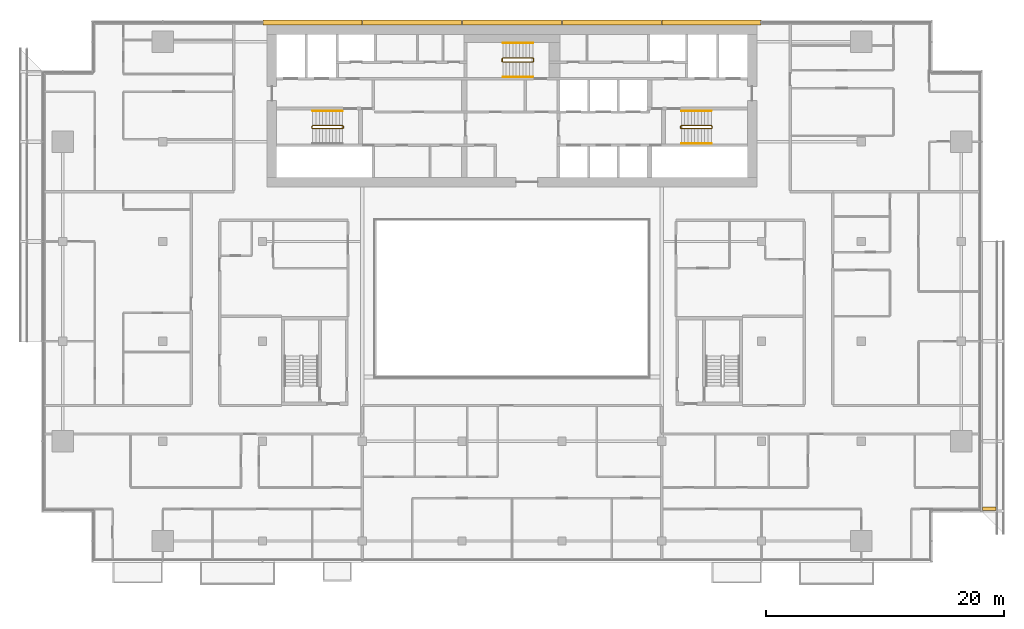
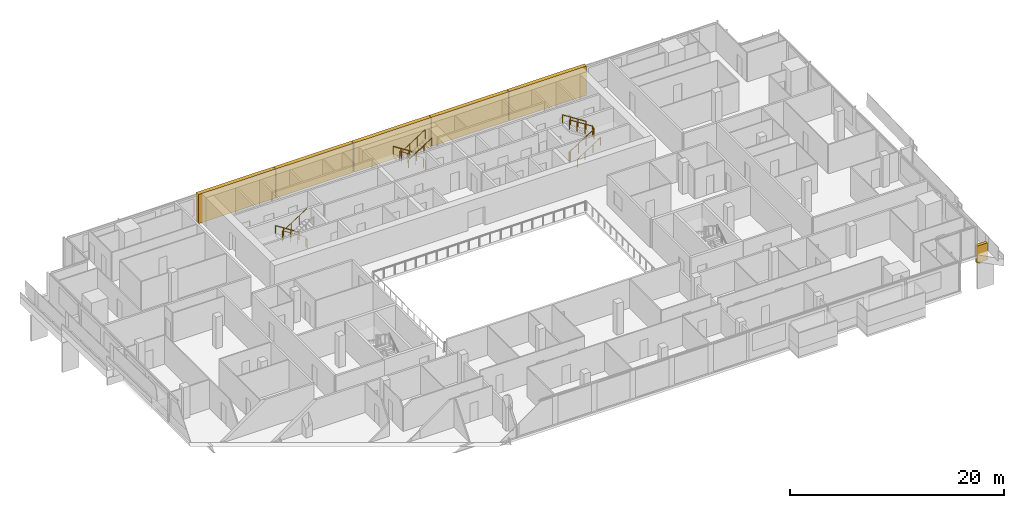
# One storey, part 28 of 29: 8 railings, 6 coverings.
"""IFC4 building model written with IfcOpenShell, lengths in metres."""

from ifc_helpers import new_model, si_unit, direction, frame, origin, origin_2d, place, context, subcontext, project, spatial, polyline, rectangle, circle, outline, extrude, material, layer, layer_set, type_object, element, save


model = new_model("IFC4")

# Units and contexts
model_context = context("Model", 3, precision=1e-05, world=origin(), true_north=direction((0.0, 1.0)))
body_context = subcontext(model_context, "Body", "Model", "MODEL_VIEW")
ifc_project = project(units=[si_unit("LENGTHUNIT", "METRE"), si_unit("AREAUNIT", "SQUARE_METRE"), si_unit("VOLUMEUNIT", "CUBIC_METRE"), si_unit("PLANEANGLEUNIT", "RADIAN"), si_unit("MASSUNIT", "GRAM", prefix="KILO")], contexts=[model_context])

# Site, building, storey
site_placement = place(None, origin())
site = spatial("IfcSite", under=ifc_project, at=site_placement, CompositionType="ELEMENT")
building_placement = place(site_placement, origin())
building = spatial("IfcBuilding", under=site, at=building_placement, Name="Saffron Gate Tower", CompositionType="ELEMENT")
storey_placement = place(building_placement, frame((0.0, 0.0, 161.85009765625)))
storey = spatial("IfcBuildingStorey", under=building, at=storey_placement, Name="L39", CompositionType="ELEMENT", Elevation=161.85009765625)

# Coverings
ifc_material_1 = material(Name="Ceramic-printed bronze insulated panel")
ifc_layer_1 = layer(ifc_material_1, 0.43994140625)
ifc_layer_set_1 = layer_set([ifc_layer_1], Name="CLD3 ceramic-printed cladding panel 440")
covering_type_1 = type_object("IfcCoveringType", Name="CLD3 ceramic-printed cladding panel 440", PredefinedType="CLADDING", material=ifc_layer_set_1)
covering_1_placement = place(storey_placement, origin())
element("IfcCovering", 1, at=covering_1_placement, inside=storey, type_object=covering_type_1, Name="CLADDING ceramic-printed panel", PredefinedType="CLADDING", context=body_context, shape_type="SweptSolid", body=[
    extrude(outline(polyline([(108.56494140625, 75.639892578125), (100.235107421875, 75.639892578125), (100.235107421875, 75.199951171875), (108.56494140625, 75.199951171875), (108.56494140625, 75.639892578125)])), origin(), (0.0, 0.0, 1.0), 3.31982421875),
])
covering_2_placement = place(storey_placement, origin())
element("IfcCovering", 2, at=covering_2_placement, inside=storey, type_object=covering_type_1, Name="CLADDING ceramic-printed panel", PredefinedType="CLADDING", context=body_context, shape_type="SweptSolid", body=[
    extrude(outline(polyline([(100.1650390625, 75.639892578125), (91.8349609375, 75.639892578125), (91.8349609375, 75.199951171875), (100.1650390625, 75.199951171875), (100.1650390625, 75.639892578125)])), origin(), (0.0, 0.0, 1.0), 3.31982421875),
])
covering_3_placement = place(storey_placement, origin())
element("IfcCovering", 3, at=covering_3_placement, inside=storey, type_object=covering_type_1, Name="CLADDING ceramic-printed panel", PredefinedType="CLADDING", context=body_context, shape_type="SweptSolid", body=[
    extrude(outline(polyline([(91.764892578125, 75.639892578125), (83.43505859375, 75.639892578125), (83.43505859375, 75.199951171875), (91.764892578125, 75.199951171875), (91.764892578125, 75.639892578125)])), origin(), (0.0, 0.0, 1.0), 3.31982421875),
])
covering_4_placement = place(storey_placement, origin())
element("IfcCovering", 4, at=covering_4_placement, inside=storey, type_object=covering_type_1, Name="CLADDING ceramic-printed panel", PredefinedType="CLADDING", context=body_context, shape_type="SweptSolid", body=[
    extrude(outline(polyline([(83.364990234375, 75.639892578125), (75.034912109375, 75.639892578125), (75.034912109375, 75.199951171875), (83.364990234375, 75.199951171875), (83.364990234375, 75.639892578125)])), origin(), (0.0, 0.0, 1.0), 3.31982421875),
])
covering_5_placement = place(storey_placement, origin())
element("IfcCovering", 5, at=covering_5_placement, inside=storey, type_object=covering_type_1, Name="CLADDING ceramic-printed panel", PredefinedType="CLADDING", context=body_context, shape_type="SweptSolid", body=[
    extrude(outline(polyline([(74.965087890625, 75.639892578125), (66.635009765625, 75.639892578125), (66.635009765625, 75.199951171875), (74.965087890625, 75.199951171875), (74.965087890625, 75.639892578125)])), origin(), (0.0, 0.0, 1.0), 3.31982421875),
])

# Railings
ifc_material_2 = material(Name="Stainless steel and laminated glass", Category="steel")
railing_type_1 = type_object("IfcRailingType", Name="CR1 Stair guard 1100", PredefinedType="GUARDRAIL", material=ifc_material_2)
railing_1_placement = place(storey_placement, frame((73.39990234375, 66.550048828125, 0.0)))
element("IfcRailing", 6, at=railing_1_placement, inside=storey, type_object=railing_type_1, Name="L39 ST-A stair guard 1", PredefinedType="GUARDRAIL", context=body_context, shape_type="SweptSolid", body=[
    extrude(circle(Radius=0.02392578125, at=origin_2d()), frame((0.0, 0.0, 1.076171875), z_axis=(0.0, 1.0, 0.0), x_axis=(-1.0, 0.0, 0.0)), (0.0, 0.0, 1.0), 0.14990234375),
    extrude(circle(Radius=0.02392578125, at=origin_2d()), frame((0.0, 0.14990234375, 1.076171875), z_axis=(-0.257669022063, 0.258932105505, 0.930892496375), x_axis=(-0.708833529934, -0.705375805398, 0.0)), (0.0, 0.0, 1.0), 0.193359375),
    extrude(circle(Radius=0.02392578125, at=origin_2d()), frame((-0.0498046875, 0.199951171875, 1.255859375), z_axis=(-0.841199657755, 0.0, 0.540724639528), x_axis=(0.0, -1.0, 0.0)), (0.0, 0.0, 1.0), 2.995849609375),
    extrude(circle(Radius=0.02392578125, at=origin_2d()), frame((-2.56982421875, 0.199951171875, 2.8759765625), z_axis=(-0.707106781187, -0.707106781187, 0.0), x_axis=(0.707106781187, -0.707106781187, 0.0)), (0.0, 0.0, 1.0), 0.07080078125),
    extrude(circle(Radius=0.02392578125, at=origin_2d()), frame((-2.619873046875, 0.14990234375, 2.8759765625), z_axis=(0.0, -1.0, 0.0), x_axis=(1.0, 0.0, 0.0)), (0.0, 0.0, 1.0), 0.14990234375),
    extrude(circle(Radius=0.02392578125, at=origin_2d()), frame((-2.619873046875, 0.0, 2.8759765625), z_axis=(0.258543844998, -0.258543844998, 0.930757841991), x_axis=(0.707106781187, 0.707106781187, 0.0)), (0.0, 0.0, 1.0), 0.193603515625),
    extrude(circle(Radius=0.02392578125, at=origin_2d()), frame((-2.56982421875, -0.050048828125, 3.05615234375), z_axis=(0.841199657755, 0.0, 0.540724639528), x_axis=(0.0, 1.0, 0.0)), (0.0, 0.0, 1.0), 2.995849609375),
    extrude(circle(Radius=0.02099609375, at=origin_2d()), origin(), (0.0, 0.0, 1.0), 1.052001953125),
    extrude(circle(Radius=0.02099609375, at=origin_2d()), frame((0.0, 0.14990234375, 0.0)), (0.0, 0.0, 1.0), 1.052001953125),
    extrude(circle(Radius=0.02099609375, at=origin_2d()), frame((-0.0498046875, 0.199951171875, 0.179931640625)), (0.0, 0.0, 1.0), 1.052001953125),
    extrude(circle(Radius=0.02099609375, at=origin_2d()), frame((-0.889892578125, 0.199951171875, 0.719970703125)), (0.0, 0.0, 1.0), 1.052001953125),
    extrude(circle(Radius=0.02099609375, at=origin_2d()), frame((-1.729736328125, 0.199951171875, 1.259765625)), (0.0, 0.0, 1.0), 1.052001953125),
    extrude(circle(Radius=0.02099609375, at=origin_2d()), frame((-2.56982421875, 0.199951171875, 1.7998046875)), (0.0, 0.0, 1.0), 1.052001953125),
    extrude(circle(Radius=0.02099609375, at=origin_2d()), frame((-2.619873046875, 0.14990234375, 1.7998046875)), (0.0, 0.0, 1.0), 1.052001953125),
    extrude(circle(Radius=0.02099609375, at=origin_2d()), frame((-2.619873046875, 0.0, 1.7998046875)), (0.0, 0.0, 1.0), 1.052001953125),
    extrude(circle(Radius=0.02099609375, at=origin_2d()), frame((-2.56982421875, -0.050048828125, 1.97998046875)), (0.0, 0.0, 1.0), 1.052001953125),
    extrude(circle(Radius=0.02099609375, at=origin_2d()), frame((-1.729736328125, -0.050048828125, 2.52001953125)), (0.0, 0.0, 1.0), 1.052001953125),
    extrude(circle(Radius=0.02099609375, at=origin_2d()), frame((-0.889892578125, -0.050048828125, 3.059814453125)), (0.0, 0.0, 1.0), 1.052001953125),
    extrude(circle(Radius=0.02099609375, at=origin_2d()), frame((-0.0498046875, -0.050048828125, 3.599853515625)), (0.0, 0.0, 1.0), 1.052001953125),
])
railing_2_placement = place(storey_placement, frame((101.800048828125, 66.699951171875, 0.0)))
element("IfcRailing", 7, at=railing_2_placement, inside=storey, type_object=railing_type_1, Name="L39 ST-B stair guard 1", PredefinedType="GUARDRAIL", context=body_context, shape_type="SweptSolid", body=[
    extrude(circle(Radius=0.02392578125, at=origin_2d()), frame((0.0, 0.0, 1.076171875), z_axis=(0.0, -1.0, 0.0), x_axis=(1.0, 0.0, 0.0)), (0.0, 0.0, 1.0), 0.14990234375),
    extrude(circle(Radius=0.02392578125, at=origin_2d()), frame((0.0, -0.14990234375, 1.076171875), z_axis=(0.258847668887, -0.258847668887, 0.930588936439), x_axis=(0.707106781187, 0.707106781187, 0.0)), (0.0, 0.0, 1.0), 0.193359375),
    extrude(circle(Radius=0.02392578125, at=origin_2d()), frame((0.050048828125, -0.199951171875, 1.255859375), z_axis=(0.841199657755, 0.0, 0.540724639528), x_axis=(0.0, 1.0, 0.0)), (0.0, 0.0, 1.0), 2.995849609375),
    extrude(circle(Radius=0.02392578125, at=origin_2d()), frame((2.570068359375, -0.199951171875, 2.8759765625), z_axis=(0.705375805398, 0.708833529934, 0.0), x_axis=(-0.708833529934, 0.705375805398, 0.0)), (0.0, 0.0, 1.0), 0.070556640625),
    extrude(circle(Radius=0.02392578125, at=origin_2d()), frame((2.619873046875, -0.14990234375, 2.8759765625), z_axis=(0.0, 1.0, 0.0), x_axis=(-1.0, 0.0, 0.0)), (0.0, 0.0, 1.0), 0.14990234375),
    extrude(circle(Radius=0.02392578125, at=origin_2d()), frame((2.619873046875, 0.0, 2.8759765625), z_axis=(-0.257366384619, 0.258627984543, 0.931060744355), x_axis=(-0.708833529934, -0.705375805398, 0.0)), (0.0, 0.0, 1.0), 0.193603515625),
    extrude(circle(Radius=0.02392578125, at=origin_2d()), frame((2.570068359375, 0.050048828125, 3.05615234375), z_axis=(-0.841199657755, 0.0, 0.540724639528), x_axis=(0.0, -1.0, 0.0)), (0.0, 0.0, 1.0), 2.995849609375),
    extrude(circle(Radius=0.02099609375, at=origin_2d()), origin(), (0.0, 0.0, 1.0), 1.052001953125),
    extrude(circle(Radius=0.02099609375, at=origin_2d()), frame((0.0, -0.14990234375, 0.0)), (0.0, 0.0, 1.0), 1.052001953125),
    extrude(circle(Radius=0.02099609375, at=origin_2d()), frame((0.050048828125, -0.199951171875, 0.179931640625)), (0.0, 0.0, 1.0), 1.052001953125),
    extrude(circle(Radius=0.02099609375, at=origin_2d()), frame((0.89013671875, -0.199951171875, 0.719970703125)), (0.0, 0.0, 1.0), 1.052001953125),
    extrude(circle(Radius=0.02099609375, at=origin_2d()), frame((1.72998046875, -0.199951171875, 1.259765625)), (0.0, 0.0, 1.0), 1.052001953125),
    extrude(circle(Radius=0.02099609375, at=origin_2d()), frame((2.570068359375, -0.199951171875, 1.7998046875)), (0.0, 0.0, 1.0), 1.052001953125),
    extrude(circle(Radius=0.02099609375, at=origin_2d()), frame((2.619873046875, -0.14990234375, 1.7998046875)), (0.0, 0.0, 1.0), 1.052001953125),
    extrude(circle(Radius=0.02099609375, at=origin_2d()), frame((2.619873046875, 0.0, 1.7998046875)), (0.0, 0.0, 1.0), 1.052001953125),
    extrude(circle(Radius=0.02099609375, at=origin_2d()), frame((2.570068359375, 0.050048828125, 1.97998046875)), (0.0, 0.0, 1.0), 1.052001953125),
    extrude(circle(Radius=0.02099609375, at=origin_2d()), frame((1.72998046875, 0.050048828125, 2.52001953125)), (0.0, 0.0, 1.0), 1.052001953125),
    extrude(circle(Radius=0.02099609375, at=origin_2d()), frame((0.89013671875, 0.050048828125, 3.059814453125)), (0.0, 0.0, 1.0), 1.052001953125),
    extrude(circle(Radius=0.02099609375, at=origin_2d()), frame((0.050048828125, 0.050048828125, 3.599853515625)), (0.0, 0.0, 1.0), 1.052001953125),
])
railing_3_placement = place(storey_placement, frame((89.39990234375, 72.14990234375, 0.0)))
element("IfcRailing", 8, at=railing_3_placement, inside=storey, type_object=railing_type_1, Name="L39 ST-C stair guard 1", PredefinedType="GUARDRAIL", context=body_context, shape_type="SweptSolid", body=[
    extrude(circle(Radius=0.02392578125, at=origin_2d()), frame((0.0, 0.0, 1.076171875), z_axis=(0.0, 1.0, 0.0), x_axis=(-1.0, 0.0, 0.0)), (0.0, 0.0, 1.0), 0.25),
    extrude(circle(Radius=0.02392578125, at=origin_2d()), frame((0.0, 0.25, 1.076171875), z_axis=(-0.257669022063, 0.258932105505, 0.930892496375), x_axis=(-0.708833529934, -0.705375805398, 0.0)), (0.0, 0.0, 1.0), 0.193359375),
    extrude(circle(Radius=0.02392578125, at=origin_2d()), frame((-0.0498046875, 0.300048828125, 1.255859375), z_axis=(-0.841199657755, 0.0, 0.540724639528), x_axis=(0.0, -1.0, 0.0)), (0.0, 0.0, 1.0), 2.995849609375),
    extrude(circle(Radius=0.02392578125, at=origin_2d()), frame((-2.56982421875, 0.300048828125, 2.8759765625), z_axis=(-0.707106781187, -0.707106781187, 0.0), x_axis=(0.707106781187, -0.707106781187, 0.0)), (0.0, 0.0, 1.0), 0.07080078125),
    extrude(circle(Radius=0.02392578125, at=origin_2d()), frame((-2.619873046875, 0.25, 2.8759765625), z_axis=(0.0, -1.0, 0.0), x_axis=(1.0, 0.0, 0.0)), (0.0, 0.0, 1.0), 0.25),
    extrude(circle(Radius=0.02392578125, at=origin_2d()), frame((-2.619873046875, 0.0, 2.8759765625), z_axis=(0.258627984543, -0.257366384619, 0.931060744355), x_axis=(0.705375805398, 0.708833529934, 0.0)), (0.0, 0.0, 1.0), 0.193603515625),
    extrude(circle(Radius=0.02392578125, at=origin_2d()), frame((-2.56982421875, -0.0498046875, 3.05615234375), z_axis=(0.841199657755, 0.0, 0.540724639528), x_axis=(0.0, 1.0, 0.0)), (0.0, 0.0, 1.0), 2.995849609375),
    extrude(circle(Radius=0.02099609375, at=origin_2d()), origin(), (0.0, 0.0, 1.0), 1.052001953125),
    extrude(circle(Radius=0.02099609375, at=origin_2d()), frame((0.0, 0.25, 0.0)), (0.0, 0.0, 1.0), 1.052001953125),
    extrude(circle(Radius=0.02099609375, at=origin_2d()), frame((-0.0498046875, 0.300048828125, 0.179931640625)), (0.0, 0.0, 1.0), 1.052001953125),
    extrude(circle(Radius=0.02099609375, at=origin_2d()), frame((-0.889892578125, 0.300048828125, 0.719970703125)), (0.0, 0.0, 1.0), 1.052001953125),
    extrude(circle(Radius=0.02099609375, at=origin_2d()), frame((-1.729736328125, 0.300048828125, 1.259765625)), (0.0, 0.0, 1.0), 1.052001953125),
    extrude(circle(Radius=0.02099609375, at=origin_2d()), frame((-2.56982421875, 0.300048828125, 1.7998046875)), (0.0, 0.0, 1.0), 1.052001953125),
    extrude(circle(Radius=0.02099609375, at=origin_2d()), frame((-2.619873046875, 0.25, 1.7998046875)), (0.0, 0.0, 1.0), 1.052001953125),
    extrude(circle(Radius=0.02099609375, at=origin_2d()), frame((-2.619873046875, 0.0, 1.7998046875)), (0.0, 0.0, 1.0), 1.052001953125),
    extrude(circle(Radius=0.02099609375, at=origin_2d()), frame((-2.56982421875, -0.0498046875, 1.97998046875)), (0.0, 0.0, 1.0), 1.052001953125),
    extrude(circle(Radius=0.02099609375, at=origin_2d()), frame((-1.729736328125, -0.0498046875, 2.52001953125)), (0.0, 0.0, 1.0), 1.052001953125),
    extrude(circle(Radius=0.02099609375, at=origin_2d()), frame((-0.889892578125, -0.0498046875, 3.059814453125)), (0.0, 0.0, 1.0), 1.052001953125),
    extrude(circle(Radius=0.02099609375, at=origin_2d()), frame((-0.0498046875, -0.0498046875, 3.599853515625)), (0.0, 0.0, 1.0), 1.052001953125),
])
ifc_material_3 = material(Name="Stainless steel", Category="steel")
railing_type_2 = type_object("IfcRailingType", Name="CR2 Stair handrail 900", PredefinedType="HANDRAIL", material=ifc_material_3)
railing_4_placement = place(storey_placement, frame((73.35009765625, 68.0, 0.179931640625)))
element("IfcRailing", 9, at=railing_4_placement, inside=storey, type_object=railing_type_2, Name="L39 ST-A stair handrail 1", PredefinedType="HANDRAIL", context=body_context, shape_type="SweptSolid", body=[
    extrude(circle(Radius=0.02392578125, at=origin_2d()), frame((0.0, 0.0, 0.8759765625), z_axis=(-0.841199657755, 0.0, 0.540724639528), x_axis=(0.0, -1.0, 0.0)), (0.0, 0.0, 1.0), 2.995849609375),
    extrude(circle(Radius=0.02099609375, at=origin_2d()), origin(), (0.0, 0.0, 1.0), 0.851806640625),
    extrude(circle(Radius=0.02099609375, at=origin_2d()), frame((-0.840087890625, 0.0, 0.5400390625)), (0.0, 0.0, 1.0), 0.851806640625),
    extrude(circle(Radius=0.02099609375, at=origin_2d()), frame((-1.679931640625, 0.0, 1.079833984375)), (0.0, 0.0, 1.0), 0.851806640625),
    extrude(circle(Radius=0.02099609375, at=origin_2d()), frame((-2.52001953125, 0.0, 1.619873046875)), (0.0, 0.0, 1.0), 0.851806640625),
])
railing_5_placement = place(storey_placement, frame((101.85009765625, 65.25, 0.179931640625)))
element("IfcRailing", 10, at=railing_5_placement, inside=storey, type_object=railing_type_2, Name="L39 ST-B stair handrail 1", PredefinedType="HANDRAIL", context=body_context, shape_type="SweptSolid", body=[
    extrude(circle(Radius=0.02392578125, at=origin_2d()), frame((0.0, 0.0, 0.8759765625), z_axis=(0.841199657755, 0.0, 0.540724639528), x_axis=(0.0, 1.0, 0.0)), (0.0, 0.0, 1.0), 2.995849609375),
    extrude(circle(Radius=0.02099609375, at=origin_2d()), origin(), (0.0, 0.0, 1.0), 0.851806640625),
    extrude(circle(Radius=0.02099609375, at=origin_2d()), frame((0.840087890625, 0.0, 0.5400390625)), (0.0, 0.0, 1.0), 0.851806640625),
    extrude(circle(Radius=0.02099609375, at=origin_2d()), frame((1.679931640625, 0.0, 1.079833984375)), (0.0, 0.0, 1.0), 0.851806640625),
    extrude(circle(Radius=0.02099609375, at=origin_2d()), frame((2.52001953125, 0.0, 1.619873046875)), (0.0, 0.0, 1.0), 0.851806640625),
])
for number, where, name in (
    (11, (104.3701171875, 68.0, 1.97998046875), "L39 ST-B stair handrail 2"),
    (12, (89.35009765625, 73.699951171875, 0.179931640625), "L39 ST-C stair handrail 1"),
):
    element("IfcRailing", number, at=place(storey_placement, frame(where)), inside=storey, type_object=railing_type_2, Name=name, PredefinedType="HANDRAIL", context=body_context, shape_type="SweptSolid", body=[
        extrude(circle(Radius=0.02392578125, at=origin_2d()), frame((0.0, 0.0, 0.8759765625), z_axis=(-0.841199657755, 0.0, 0.540724639528), x_axis=(0.0, -1.0, 0.0)), (0.0, 0.0, 1.0), 2.995849609375),
        extrude(circle(Radius=0.02099609375, at=origin_2d()), origin(), (0.0, 0.0, 1.0), 0.851806640625),
        extrude(circle(Radius=0.02099609375, at=origin_2d()), frame((-0.840087890625, 0.0, 0.5400390625)), (0.0, 0.0, 1.0), 0.851806640625),
        extrude(circle(Radius=0.02099609375, at=origin_2d()), frame((-1.679931640625, 0.0, 1.079833984375)), (0.0, 0.0, 1.0), 0.851806640625),
        extrude(circle(Radius=0.02099609375, at=origin_2d()), frame((-2.52001953125, 0.0, 1.619873046875)), (0.0, 0.0, 1.0), 0.851806640625),
    ])
railing_6_placement = place(storey_placement, frame((86.830078125, 70.85009765625, 1.97998046875)))
element("IfcRailing", 13, at=railing_6_placement, inside=storey, type_object=railing_type_2, Name="L39 ST-C stair handrail 2", PredefinedType="HANDRAIL", context=body_context, shape_type="SweptSolid", body=[
    extrude(circle(Radius=0.02392578125, at=origin_2d()), frame((0.0, 0.0, 0.8759765625), z_axis=(0.841199657755, 0.0, 0.540724639528), x_axis=(0.0, 1.0, 0.0)), (0.0, 0.0, 1.0), 2.995849609375),
    extrude(circle(Radius=0.02099609375, at=origin_2d()), origin(), (0.0, 0.0, 1.0), 0.851806640625),
    extrude(circle(Radius=0.02099609375, at=origin_2d()), frame((0.840087890625, 0.0, 0.5400390625)), (0.0, 0.0, 1.0), 0.851806640625),
    extrude(circle(Radius=0.02099609375, at=origin_2d()), frame((1.679931640625, 0.0, 1.079833984375)), (0.0, 0.0, 1.0), 0.851806640625),
    extrude(circle(Radius=0.02099609375, at=origin_2d()), frame((2.52001953125, 0.0, 1.619873046875)), (0.0, 0.0, 1.0), 0.851806640625),
])

# Covering
ifc_material_4 = material(Name="Timber, thermally modified ash", Category="wood")
ifc_layer_2 = layer(ifc_material_4, 0.300048828125)
ifc_layer_set_2 = layer_set([ifc_layer_2], Name="LD3 ledge riser fin")
covering_type_2 = type_object("IfcCoveringType", Name="LD3 ledge riser fin", PredefinedType="CLADDING", material=ifc_layer_set_2)
covering_6_placement = place(storey_placement, frame((127.760009765625, 34.5, -0.9580078125), z_axis=(0.0, 0.0, 1.0), x_axis=(0.0, 1.0, 0.0)))
element("IfcCovering", 14, at=covering_6_placement, inside=storey, type_object=covering_type_2, Name="LEDGE riser fin", PredefinedType="CLADDING", context=body_context, shape_type="SweptSolid", body=[
    extrude(rectangle(XDim=0.300048828125, YDim=1.1201171875, at=origin_2d()), origin(), (0.0, 0.0, 1.0), 1.957275390625),
])

save(model, "model.ifc")
